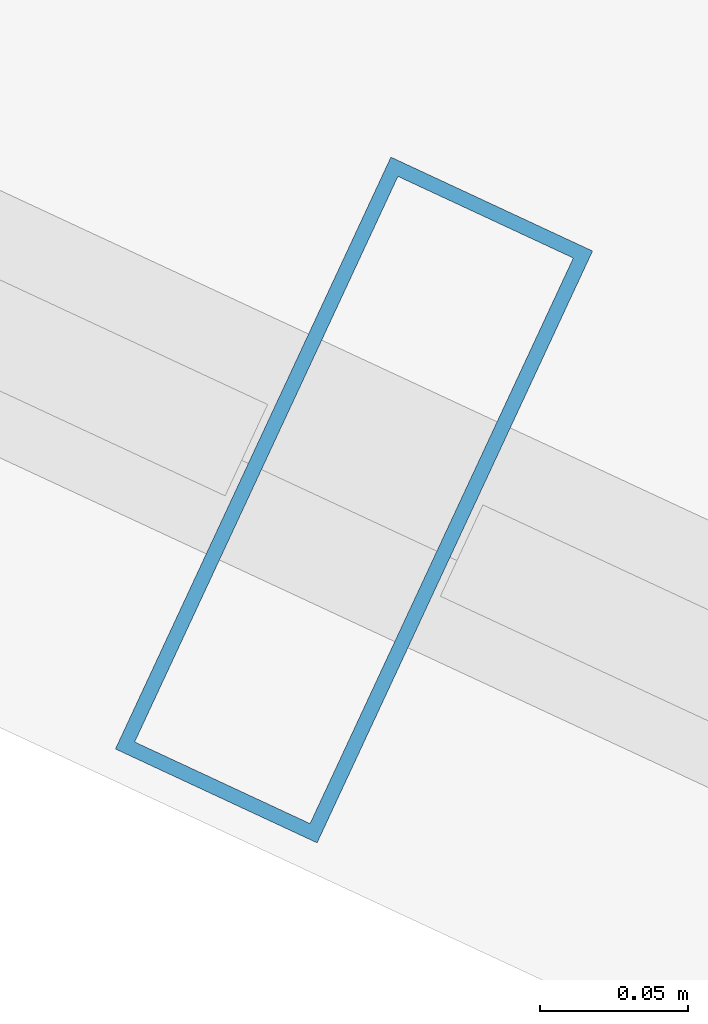
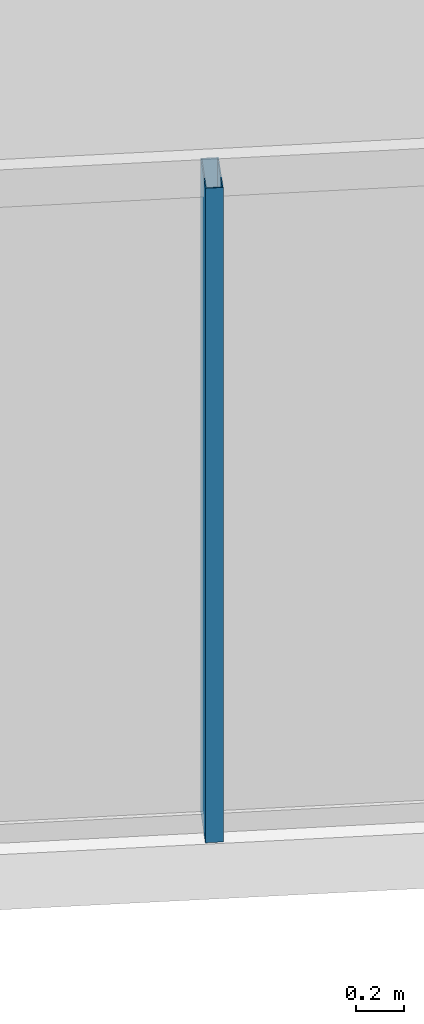
# One storey, part 2 of 20: 1 member, 1 element without a shape of its own.
"""IFC4 building model written with IfcOpenShell, lengths in metres."""

from ifc_helpers import new_model, si_unit, direction, frame, origin, origin_2d, place, context, subcontext, project, spatial, hollow_rectangle, extrude, material, layer, layer_set, material_profile, profile_set, type_object, element, aggregate, save


model = new_model("IFC4")

# Units and contexts
model_context = context("Model", 3, precision=1e-05, world=origin(), true_north=direction((0.0, 1.0)))
body_context = subcontext(model_context, "Body", "Model", "MODEL_VIEW")
ifc_project = project(units=[si_unit("LENGTHUNIT", "METRE"), si_unit("AREAUNIT", "SQUARE_METRE"), si_unit("VOLUMEUNIT", "CUBIC_METRE"), si_unit("PLANEANGLEUNIT", "RADIAN"), si_unit("MASSUNIT", "GRAM", prefix="KILO")], contexts=[model_context])

# Site, building, storey
site_placement = place(None, origin())
site = spatial("IfcSite", under=ifc_project, at=site_placement, CompositionType="ELEMENT")
building_placement = place(site_placement, origin())
building = spatial("IfcBuilding", under=site, at=building_placement, Name="Qarnah Convention Tower", CompositionType="ELEMENT")
storey_placement = place(building_placement, frame((0.0, 0.0, 198.60009765625)))
storey = spatial("IfcBuildingStorey", under=building, at=storey_placement, Name="L53", CompositionType="ELEMENT", Elevation=198.60009765625)

# Curtain wall, member
ifc_material_1 = material(Name="Tempered Low-E dark glass", Category="glass")
ifc_layer = layer(ifc_material_1, 0.174072265625)
ifc_layer_set = layer_set([ifc_layer], Name="Tempered Low-E dark glass")
curtain_wall_type = type_object("IfcCurtainWallType", Name="CWS-04", PredefinedType="NOTDEFINED", material=ifc_layer_set)
curtain_wall_placement = place(storey_placement, origin())
curtain_wall = element("IfcCurtainWall", 1, at=curtain_wall_placement, inside=storey, type_object=curtain_wall_type, Name="L53 unitised curtain wall CW-L53-F2", PredefinedType="NOTDEFINED")
ifc_material_2 = material(Name="Black anodised aluminium", Category="aluminium")
ifc_material_profile = material_profile(ifc_material_2, hollow_rectangle(XDim=0.074951171875, YDim=0.219970703125, WallThickness=0.0048828125, at=origin_2d()), Name="MUL-75X220")
ifc_profile_set = profile_set([ifc_material_profile], Name="Black anodised aluminium")
member_type = type_object("IfcMemberType", Name="MUL-T4", PredefinedType="MULLION", material=ifc_profile_set)
member_placement = place(storey_placement, frame((27.914306640625, 13.071044921875, 0.0), z_axis=(0.0, 0.0, 1.0), x_axis=(-0.906605820486, 0.421978537678, 0.0)))
member = element("IfcMember", 2, at=member_placement, type_object=member_type, Name="CW-L53-F2 mullion 4", PredefinedType="MULLION", context=body_context, shape_type="SweptSolid", body=[
    extrude(hollow_rectangle(XDim=0.074951171875, YDim=0.219970703125, WallThickness=0.0048828125, at=origin_2d()), origin(), (0.0, 0.0, 1.0), 3.31982421875),
])
aggregate(curtain_wall, [member])

save(model, "model.ifc")
